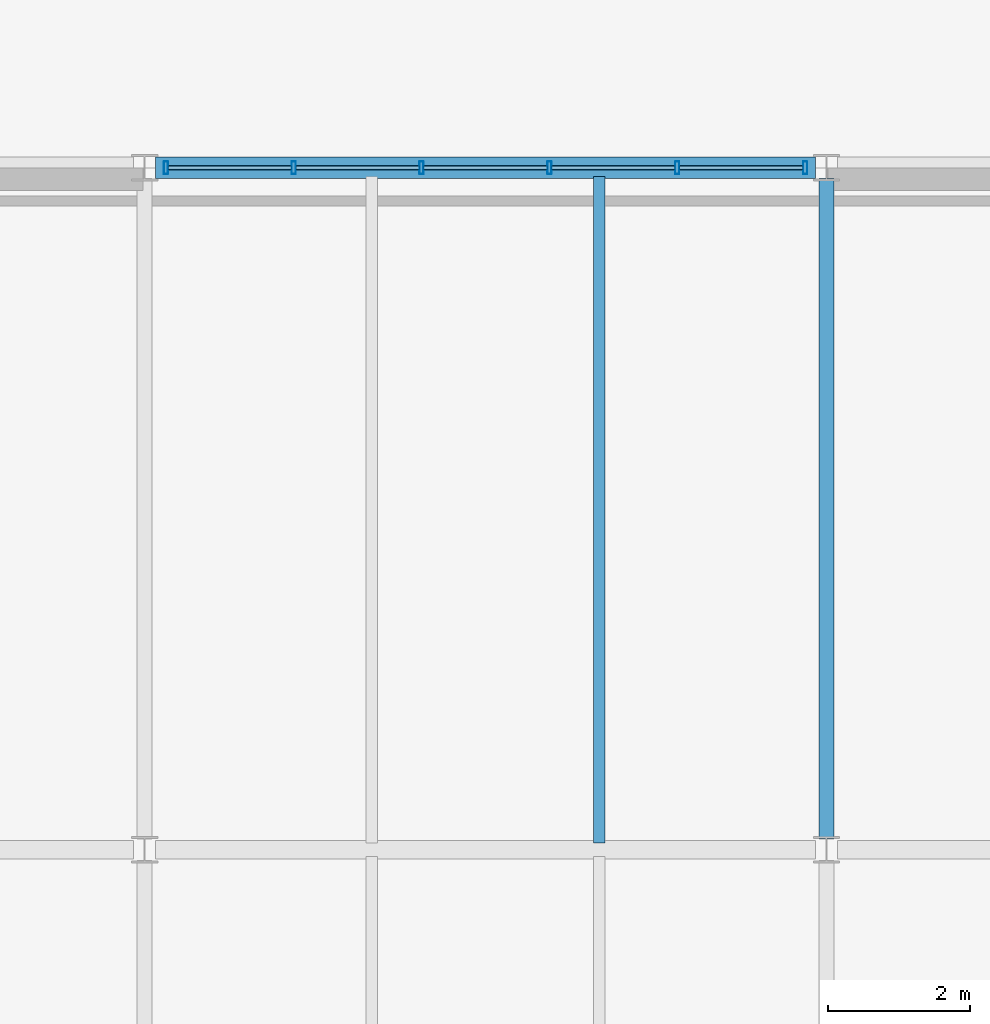
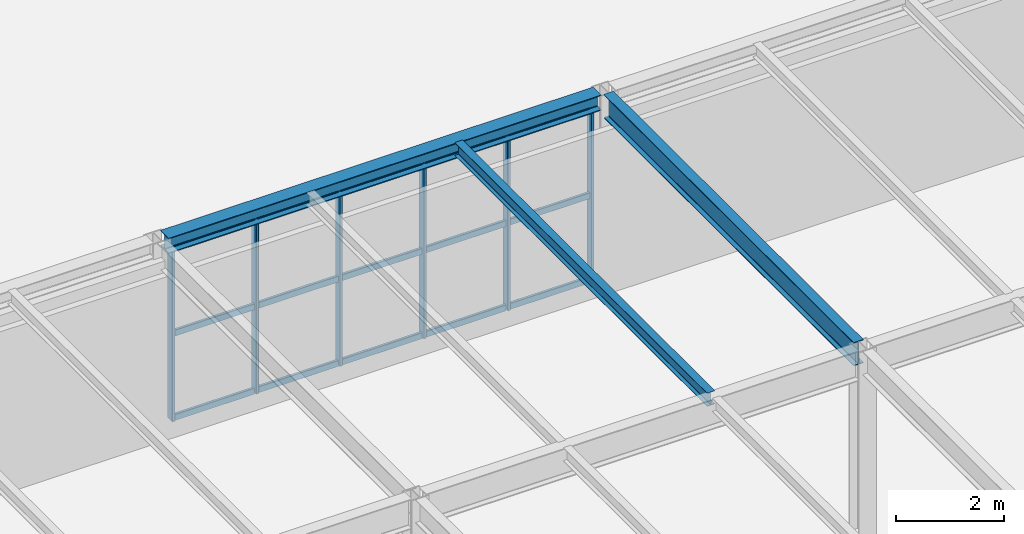
# One storey, part 124 of 170: 21 members, 3 beams, 1 element without a shape of its own.
"""IFC4 building model written with IfcOpenShell, lengths in metres."""

from ifc_helpers import new_model, si_unit, direction, frame, origin, origin_2d, place, context, subcontext, project, spatial, hollow_rectangle, i_section, extrude, material, material_profile, profile_set, type_object, element, aggregate, save


model = new_model("IFC4")

# Units and contexts
model_context = context("Model", 3, precision=1e-05, world=origin(), true_north=direction((0.0, 1.0)))
body_context = subcontext(model_context, "Body", "Model", "MODEL_VIEW")
ifc_project = project(units=[si_unit("LENGTHUNIT", "METRE"), si_unit("AREAUNIT", "SQUARE_METRE"), si_unit("VOLUMEUNIT", "CUBIC_METRE"), si_unit("PLANEANGLEUNIT", "RADIAN"), si_unit("MASSUNIT", "GRAM", prefix="KILO")], contexts=[model_context])

# Site, building, storey
site_placement = place(None, origin())
site = spatial("IfcSite", under=ifc_project, at=site_placement, CompositionType="ELEMENT")
building_placement = place(site_placement, origin())
building = spatial("IfcBuilding", under=site, at=building_placement, Name="Coralgate Yard Interchange", CompositionType="ELEMENT")
storey_placement = place(building_placement, frame((0.0, 0.0, 6.0)))
storey = spatial("IfcBuildingStorey", under=building, at=storey_placement, Name="L01", CompositionType="ELEMENT", Elevation=6.0)

# Beams
ifc_material_1 = material(Name="Structural steel S355J2", Category="steel")
ifc_material_profile_1 = material_profile(ifc_material_1, i_section(OverallWidth=0.209228515625, OverallDepth=0.533203125, WebThickness=0.010009765625, FlangeThickness=0.015625, FilletRadius=0.0126953125, at=origin_2d()), Name="UB 533x210x92")
ifc_profile_set_1 = profile_set([ifc_material_profile_1], Name="Structural steel S355J2")
beam_type_1 = type_object("IfcBeamType", Name="BM-SB-1", PredefinedType="BEAM", material=ifc_profile_set_1)
beam_1_placement = place(storey_placement, frame((172.800048828125, 19.35400390625, 3.9833984375), z_axis=(0.0, 1.0, 0.0), x_axis=(-1.0, 0.0, 0.0)))
element("IfcBeam", 1, at=beam_1_placement, inside=storey, type_object=beam_type_1, Name="L01 primary grid girder X18 Y2-3", PredefinedType="BEAM", context=body_context, shape_type="SweptSolid", body=[
    extrude(i_section(OverallWidth=0.209228515625, OverallDepth=0.533203125, WebThickness=0.010009765625, FlangeThickness=0.015625, FilletRadius=0.0126953125, at=origin_2d()), origin(), (0.0, 0.0, 1.0), 9.2919921875),
])
ifc_material_profile_2 = material_profile(ifc_material_1, i_section(OverallWidth=0.1650390625, OverallDepth=0.303466796875, WebThickness=0.006103515625, FlangeThickness=0.01025390625, FilletRadius=0.0087890625, at=origin_2d()), Name="UB 305x165x40")
ifc_profile_set_2 = profile_set([ifc_material_profile_2], Name="Structural steel S355J2")
beam_type_2 = type_object("IfcBeamType", Name="BM-SJ-1", PredefinedType="JOIST", material=ifc_profile_set_2)
beam_2_placement = place(storey_placement, frame((169.60009765625, 19.296875, 4.098388671875), z_axis=(0.0, 1.0, 0.0), x_axis=(-1.0, 0.0, 0.0)))
element("IfcBeam", 2, at=beam_2_placement, inside=storey, type_object=beam_type_2, Name="L01 composite floor joist 17-2-2", PredefinedType="JOIST", context=body_context, shape_type="SweptSolid", body=[
    extrude(i_section(OverallWidth=0.1650390625, OverallDepth=0.303466796875, WebThickness=0.006103515625, FlangeThickness=0.01025390625, FilletRadius=0.0087890625, at=origin_2d()), origin(), (0.0, 0.0, 1.0), 9.383056640625),
])
ifc_material_profile_3 = material_profile(ifc_material_1, i_section(OverallWidth=0.300048828125, OverallDepth=0.35009765625, WebThickness=0.010009765625, FlangeThickness=0.017578125, FilletRadius=0.027099609375, at=origin_2d()), Name="HEA 360")
ifc_profile_set_3 = profile_set([ifc_material_profile_3], Name="Structural steel S355J2")
beam_type_3 = type_object("IfcBeamType", Name="BM-SP-1", PredefinedType="SPANDREL", material=ifc_profile_set_3)
beam_3_placement = place(storey_placement, frame((163.356201171875, 28.800048828125, 4.074951171875), z_axis=(1.0, 0.0, 0.0), x_axis=(0.0, 1.0, 0.0)))
element("IfcBeam", 3, at=beam_3_placement, inside=storey, type_object=beam_type_3, Name="L01 primary grid beam Y3 X17-18", PredefinedType="SPANDREL", context=body_context, shape_type="SweptSolid", body=[
    extrude(i_section(OverallWidth=0.300048828125, OverallDepth=0.35009765625, WebThickness=0.010009765625, FlangeThickness=0.017578125, FilletRadius=0.027099609375, at=origin_2d()), origin(), (0.0, 0.0, 1.0), 9.28759765625),
])

# Curtain wall, members
ifc_material_2 = material(Name="Anodised coastal aluminium and solar-control low-E glass", Category="aluminium")
curtain_wall_type = type_object("IfcCurtainWallType", Name="CW-CW-L01-A", PredefinedType="NOTDEFINED", material=ifc_material_2)
curtain_wall_placement = place(storey_placement, origin())
curtain_wall = element("IfcCurtainWall", 4, at=curtain_wall_placement, inside=storey, type_object=curtain_wall_type, Name="L01 unitised curtain wall CW-L01-N-17-02", PredefinedType="NOTDEFINED")
ifc_material_3 = material(Name="Anodised coastal aluminium 6063-T6", Category="aluminium")
ifc_material_profile_4 = material_profile(ifc_material_3, hollow_rectangle(XDim=0.06005859375, YDim=0.179931640625, WallThickness=0.00390625, InnerFilletRadius=0.00390625, OuterFilletRadius=0.008056640625, at=origin_2d()), Name="ALU 60x180x4")
ifc_profile_set_4 = profile_set([ifc_material_profile_4], Name="Anodised coastal aluminium 6063-T6")
member_type_1 = type_object("IfcMemberType", Name="MB-MUL-180", PredefinedType="MULLION", material=ifc_profile_set_4)
member_1_placement = place(storey_placement, frame((163.5, 28.800048828125, 0.0), z_axis=(0.0, 0.0, 1.0), x_axis=(1.0, 0.0, 0.0)))
member_1 = element("IfcMember", 5, at=member_1_placement, type_object=member_type_1, Name="CW-L01-N-17-02 vertical mullion 1", PredefinedType="MULLION", context=body_context, shape_type="SweptSolid", body=[
    extrude(hollow_rectangle(XDim=0.06005859375, YDim=0.179931640625, WallThickness=0.00390625, InnerFilletRadius=0.00390625, OuterFilletRadius=0.008056640625, at=origin_2d()), origin(), (0.0, 0.0, 1.0), 3.89990234375),
])
member_2_placement = place(storey_placement, frame((165.300048828125, 28.800048828125, 0.0), z_axis=(0.0, 0.0, 1.0), x_axis=(1.0, 0.0, 0.0)))
member_2 = element("IfcMember", 6, at=member_2_placement, type_object=member_type_1, Name="CW-L01-N-17-02 vertical mullion 2", PredefinedType="MULLION", context=body_context, shape_type="SweptSolid", body=[
    extrude(hollow_rectangle(XDim=0.06005859375, YDim=0.179931640625, WallThickness=0.00390625, InnerFilletRadius=0.00390625, OuterFilletRadius=0.008056640625, at=origin_2d()), origin(), (0.0, 0.0, 1.0), 3.89990234375),
])
member_3_placement = place(storey_placement, frame((167.10009765625, 28.800048828125, 0.0), z_axis=(0.0, 0.0, 1.0), x_axis=(1.0, 0.0, 0.0)))
member_3 = element("IfcMember", 7, at=member_3_placement, type_object=member_type_1, Name="CW-L01-N-17-02 vertical mullion 3", PredefinedType="MULLION", context=body_context, shape_type="SweptSolid", body=[
    extrude(hollow_rectangle(XDim=0.06005859375, YDim=0.179931640625, WallThickness=0.00390625, InnerFilletRadius=0.00390625, OuterFilletRadius=0.008056640625, at=origin_2d()), origin(), (0.0, 0.0, 1.0), 3.89990234375),
])
member_4_placement = place(storey_placement, frame((168.89990234375, 28.800048828125, 0.0), z_axis=(0.0, 0.0, 1.0), x_axis=(1.0, 0.0, 0.0)))
member_4 = element("IfcMember", 8, at=member_4_placement, type_object=member_type_1, Name="CW-L01-N-17-02 vertical mullion 4", PredefinedType="MULLION", context=body_context, shape_type="SweptSolid", body=[
    extrude(hollow_rectangle(XDim=0.06005859375, YDim=0.179931640625, WallThickness=0.00390625, InnerFilletRadius=0.00390625, OuterFilletRadius=0.008056640625, at=origin_2d()), origin(), (0.0, 0.0, 1.0), 3.89990234375),
])
member_5_placement = place(storey_placement, frame((170.699951171875, 28.800048828125, 0.0), z_axis=(0.0, 0.0, 1.0), x_axis=(1.0, 0.0, 0.0)))
member_5 = element("IfcMember", 9, at=member_5_placement, type_object=member_type_1, Name="CW-L01-N-17-02 vertical mullion 5", PredefinedType="MULLION", context=body_context, shape_type="SweptSolid", body=[
    extrude(hollow_rectangle(XDim=0.06005859375, YDim=0.179931640625, WallThickness=0.00390625, InnerFilletRadius=0.00390625, OuterFilletRadius=0.008056640625, at=origin_2d()), origin(), (0.0, 0.0, 1.0), 3.89990234375),
])
member_6_placement = place(storey_placement, frame((172.5, 28.800048828125, 0.0), z_axis=(0.0, 0.0, 1.0), x_axis=(1.0, 0.0, 0.0)))
member_6 = element("IfcMember", 10, at=member_6_placement, type_object=member_type_1, Name="CW-L01-N-17-02 vertical mullion 6", PredefinedType="MULLION", context=body_context, shape_type="SweptSolid", body=[
    extrude(hollow_rectangle(XDim=0.06005859375, YDim=0.179931640625, WallThickness=0.00390625, InnerFilletRadius=0.00390625, OuterFilletRadius=0.008056640625, at=origin_2d()), origin(), (0.0, 0.0, 1.0), 3.89990234375),
])
ifc_material_profile_5 = material_profile(ifc_material_3, hollow_rectangle(XDim=0.06005859375, YDim=0.139892578125, WallThickness=0.00341796875, InnerFilletRadius=0.00341796875, OuterFilletRadius=0.007080078125, at=origin_2d()), Name="ALU 60x140x3.5")
ifc_profile_set_5 = profile_set([ifc_material_profile_5], Name="Anodised coastal aluminium 6063-T6")
member_type_2 = type_object("IfcMemberType", Name="MB-TRN-140", PredefinedType="USERDEFINED", material=ifc_profile_set_5)
member_7_placement = place(storey_placement, frame((163.530029296875, 28.800048828125, 0.034912109375), z_axis=(1.0, 0.0, 0.0), x_axis=(0.0, 1.0, 0.0)))
member_7 = element("IfcMember", 11, at=member_7_placement, type_object=member_type_2, Name="CW-L01-N-17-02 horizontal transom 1-1", ObjectType="TRANSOM", PredefinedType="USERDEFINED", context=body_context, shape_type="SweptSolid", body=[
    extrude(hollow_rectangle(XDim=0.06005859375, YDim=0.139892578125, WallThickness=0.00341796875, InnerFilletRadius=0.00341796875, OuterFilletRadius=0.007080078125, at=origin_2d()), origin(), (0.0, 0.0, 1.0), 1.739990234375),
])
member_8_placement = place(storey_placement, frame((163.530029296875, 28.800048828125, 1.949951171875), z_axis=(1.0, 0.0, 0.0), x_axis=(0.0, 1.0, 0.0)))
member_8 = element("IfcMember", 12, at=member_8_placement, type_object=member_type_2, Name="CW-L01-N-17-02 horizontal transom 1-2", ObjectType="TRANSOM", PredefinedType="USERDEFINED", context=body_context, shape_type="SweptSolid", body=[
    extrude(hollow_rectangle(XDim=0.06005859375, YDim=0.139892578125, WallThickness=0.00341796875, InnerFilletRadius=0.00341796875, OuterFilletRadius=0.007080078125, at=origin_2d()), origin(), (0.0, 0.0, 1.0), 1.739990234375),
])
member_9_placement = place(storey_placement, frame((163.530029296875, 28.800048828125, 3.864990234375), z_axis=(1.0, 0.0, 0.0), x_axis=(0.0, 1.0, 0.0)))
member_9 = element("IfcMember", 13, at=member_9_placement, type_object=member_type_2, Name="CW-L01-N-17-02 horizontal transom 1-3", ObjectType="TRANSOM", PredefinedType="USERDEFINED", context=body_context, shape_type="SweptSolid", body=[
    extrude(hollow_rectangle(XDim=0.06005859375, YDim=0.139892578125, WallThickness=0.00341796875, InnerFilletRadius=0.00341796875, OuterFilletRadius=0.007080078125, at=origin_2d()), origin(), (0.0, 0.0, 1.0), 1.739990234375),
])
member_10_placement = place(storey_placement, frame((165.330078125, 28.800048828125, 0.034912109375), z_axis=(1.0, 0.0, 0.0), x_axis=(0.0, 1.0, 0.0)))
member_10 = element("IfcMember", 14, at=member_10_placement, type_object=member_type_2, Name="CW-L01-N-17-02 horizontal transom 2-1", ObjectType="TRANSOM", PredefinedType="USERDEFINED", context=body_context, shape_type="SweptSolid", body=[
    extrude(hollow_rectangle(XDim=0.06005859375, YDim=0.139892578125, WallThickness=0.00341796875, InnerFilletRadius=0.00341796875, OuterFilletRadius=0.007080078125, at=origin_2d()), origin(), (0.0, 0.0, 1.0), 1.739990234375),
])
member_11_placement = place(storey_placement, frame((165.330078125, 28.800048828125, 1.949951171875), z_axis=(1.0, 0.0, 0.0), x_axis=(0.0, 1.0, 0.0)))
member_11 = element("IfcMember", 15, at=member_11_placement, type_object=member_type_2, Name="CW-L01-N-17-02 horizontal transom 2-2", ObjectType="TRANSOM", PredefinedType="USERDEFINED", context=body_context, shape_type="SweptSolid", body=[
    extrude(hollow_rectangle(XDim=0.06005859375, YDim=0.139892578125, WallThickness=0.00341796875, InnerFilletRadius=0.00341796875, OuterFilletRadius=0.007080078125, at=origin_2d()), origin(), (0.0, 0.0, 1.0), 1.739990234375),
])
member_12_placement = place(storey_placement, frame((165.330078125, 28.800048828125, 3.864990234375), z_axis=(1.0, 0.0, 0.0), x_axis=(0.0, 1.0, 0.0)))
member_12 = element("IfcMember", 16, at=member_12_placement, type_object=member_type_2, Name="CW-L01-N-17-02 horizontal transom 2-3", ObjectType="TRANSOM", PredefinedType="USERDEFINED", context=body_context, shape_type="SweptSolid", body=[
    extrude(hollow_rectangle(XDim=0.06005859375, YDim=0.139892578125, WallThickness=0.00341796875, InnerFilletRadius=0.00341796875, OuterFilletRadius=0.007080078125, at=origin_2d()), origin(), (0.0, 0.0, 1.0), 1.739990234375),
])
member_13_placement = place(storey_placement, frame((167.1298828125, 28.800048828125, 0.034912109375), z_axis=(1.0, 0.0, 0.0), x_axis=(0.0, 1.0, 0.0)))
member_13 = element("IfcMember", 17, at=member_13_placement, type_object=member_type_2, Name="CW-L01-N-17-02 horizontal transom 3-1", ObjectType="TRANSOM", PredefinedType="USERDEFINED", context=body_context, shape_type="SweptSolid", body=[
    extrude(hollow_rectangle(XDim=0.06005859375, YDim=0.139892578125, WallThickness=0.00341796875, InnerFilletRadius=0.00341796875, OuterFilletRadius=0.007080078125, at=origin_2d()), origin(), (0.0, 0.0, 1.0), 1.740234375),
])
member_14_placement = place(storey_placement, frame((167.1298828125, 28.800048828125, 1.949951171875), z_axis=(1.0, 0.0, 0.0), x_axis=(0.0, 1.0, 0.0)))
member_14 = element("IfcMember", 18, at=member_14_placement, type_object=member_type_2, Name="CW-L01-N-17-02 horizontal transom 3-2", ObjectType="TRANSOM", PredefinedType="USERDEFINED", context=body_context, shape_type="SweptSolid", body=[
    extrude(hollow_rectangle(XDim=0.06005859375, YDim=0.139892578125, WallThickness=0.00341796875, InnerFilletRadius=0.00341796875, OuterFilletRadius=0.007080078125, at=origin_2d()), origin(), (0.0, 0.0, 1.0), 1.740234375),
])
member_15_placement = place(storey_placement, frame((167.1298828125, 28.800048828125, 3.864990234375), z_axis=(1.0, 0.0, 0.0), x_axis=(0.0, 1.0, 0.0)))
member_15 = element("IfcMember", 19, at=member_15_placement, type_object=member_type_2, Name="CW-L01-N-17-02 horizontal transom 3-3", ObjectType="TRANSOM", PredefinedType="USERDEFINED", context=body_context, shape_type="SweptSolid", body=[
    extrude(hollow_rectangle(XDim=0.06005859375, YDim=0.139892578125, WallThickness=0.00341796875, InnerFilletRadius=0.00341796875, OuterFilletRadius=0.007080078125, at=origin_2d()), origin(), (0.0, 0.0, 1.0), 1.740234375),
])
member_16_placement = place(storey_placement, frame((168.929931640625, 28.800048828125, 0.034912109375), z_axis=(1.0, 0.0, 0.0), x_axis=(0.0, 1.0, 0.0)))
member_16 = element("IfcMember", 20, at=member_16_placement, type_object=member_type_2, Name="CW-L01-N-17-02 horizontal transom 4-1", ObjectType="TRANSOM", PredefinedType="USERDEFINED", context=body_context, shape_type="SweptSolid", body=[
    extrude(hollow_rectangle(XDim=0.06005859375, YDim=0.139892578125, WallThickness=0.00341796875, InnerFilletRadius=0.00341796875, OuterFilletRadius=0.007080078125, at=origin_2d()), origin(), (0.0, 0.0, 1.0), 1.739990234375),
])
member_17_placement = place(storey_placement, frame((168.929931640625, 28.800048828125, 1.949951171875), z_axis=(1.0, 0.0, 0.0), x_axis=(0.0, 1.0, 0.0)))
member_17 = element("IfcMember", 21, at=member_17_placement, type_object=member_type_2, Name="CW-L01-N-17-02 horizontal transom 4-2", ObjectType="TRANSOM", PredefinedType="USERDEFINED", context=body_context, shape_type="SweptSolid", body=[
    extrude(hollow_rectangle(XDim=0.06005859375, YDim=0.139892578125, WallThickness=0.00341796875, InnerFilletRadius=0.00341796875, OuterFilletRadius=0.007080078125, at=origin_2d()), origin(), (0.0, 0.0, 1.0), 1.739990234375),
])
member_18_placement = place(storey_placement, frame((168.929931640625, 28.800048828125, 3.864990234375), z_axis=(1.0, 0.0, 0.0), x_axis=(0.0, 1.0, 0.0)))
member_18 = element("IfcMember", 22, at=member_18_placement, type_object=member_type_2, Name="CW-L01-N-17-02 horizontal transom 4-3", ObjectType="TRANSOM", PredefinedType="USERDEFINED", context=body_context, shape_type="SweptSolid", body=[
    extrude(hollow_rectangle(XDim=0.06005859375, YDim=0.139892578125, WallThickness=0.00341796875, InnerFilletRadius=0.00341796875, OuterFilletRadius=0.007080078125, at=origin_2d()), origin(), (0.0, 0.0, 1.0), 1.739990234375),
])
member_19_placement = place(storey_placement, frame((170.72998046875, 28.800048828125, 0.034912109375), z_axis=(1.0, 0.0, 0.0), x_axis=(0.0, 1.0, 0.0)))
member_19 = element("IfcMember", 23, at=member_19_placement, type_object=member_type_2, Name="CW-L01-N-17-02 horizontal transom 5-1", ObjectType="TRANSOM", PredefinedType="USERDEFINED", context=body_context, shape_type="SweptSolid", body=[
    extrude(hollow_rectangle(XDim=0.06005859375, YDim=0.139892578125, WallThickness=0.00341796875, InnerFilletRadius=0.00341796875, OuterFilletRadius=0.007080078125, at=origin_2d()), origin(), (0.0, 0.0, 1.0), 1.739990234375),
])
member_20_placement = place(storey_placement, frame((170.72998046875, 28.800048828125, 1.949951171875), z_axis=(1.0, 0.0, 0.0), x_axis=(0.0, 1.0, 0.0)))
member_20 = element("IfcMember", 24, at=member_20_placement, type_object=member_type_2, Name="CW-L01-N-17-02 horizontal transom 5-2", ObjectType="TRANSOM", PredefinedType="USERDEFINED", context=body_context, shape_type="SweptSolid", body=[
    extrude(hollow_rectangle(XDim=0.06005859375, YDim=0.139892578125, WallThickness=0.00341796875, InnerFilletRadius=0.00341796875, OuterFilletRadius=0.007080078125, at=origin_2d()), origin(), (0.0, 0.0, 1.0), 1.739990234375),
])
member_21_placement = place(storey_placement, frame((170.72998046875, 28.800048828125, 3.864990234375), z_axis=(1.0, 0.0, 0.0), x_axis=(0.0, 1.0, 0.0)))
member_21 = element("IfcMember", 25, at=member_21_placement, type_object=member_type_2, Name="CW-L01-N-17-02 horizontal transom 5-3", ObjectType="TRANSOM", PredefinedType="USERDEFINED", context=body_context, shape_type="SweptSolid", body=[
    extrude(hollow_rectangle(XDim=0.06005859375, YDim=0.139892578125, WallThickness=0.00341796875, InnerFilletRadius=0.00341796875, OuterFilletRadius=0.007080078125, at=origin_2d()), origin(), (0.0, 0.0, 1.0), 1.739990234375),
])
aggregate(curtain_wall, [member_1, member_2, member_3, member_4, member_5, member_6, member_7, member_8, member_9, member_10, member_11, member_12, member_13, member_14, member_15, member_16, member_17, member_18, member_19, member_20, member_21])

save(model, "model.ifc")
